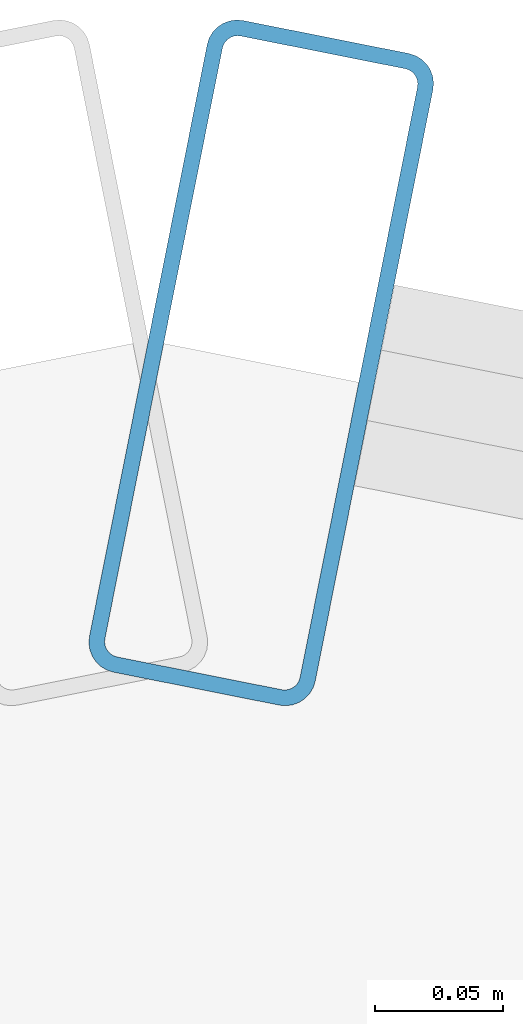
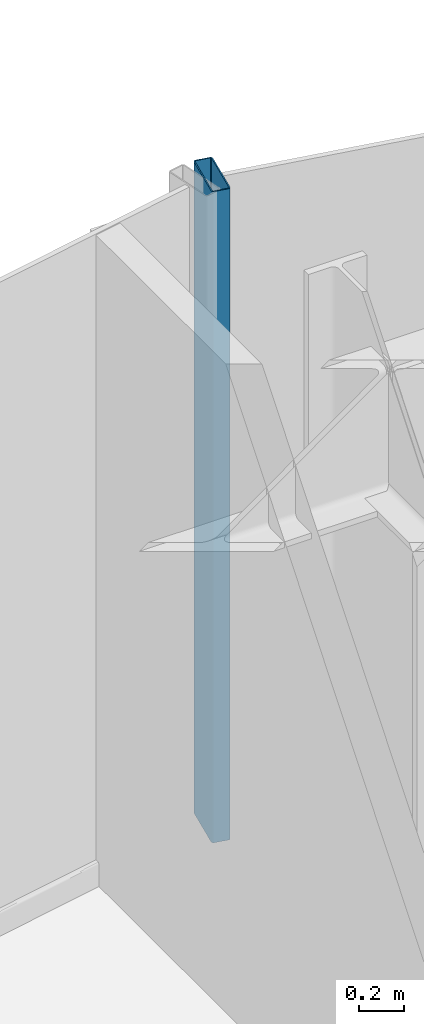
# One storey, part 15 of 26: 1 member, 1 element without a shape of its own.
"""IFC4 building model written with IfcOpenShell, lengths in metres."""

import ifcopenshell
import ifcopenshell.guid

model = None  # the IFC model being written
_history = None  # IfcOwnerHistory: only IFC2X3 demands one
_inside = {}  # id of a spatial element -> (the spatial element, [elements in it])
_under = {}  # id of a project, library or spatial element -> (it, [spatial elements below it])
_declared = {}  # id of a project -> (the project, [libraries it declares])
_typed = {}  # id of a type object -> (the type object, [elements of that type])
_made_of = {}  # id of a material, layer set ... -> (it, [elements and type objects made of it])


def new_model(schema):
    """Start an empty IFC model of exactly this schema.

    Asked for "IFC4X3", IfcOpenShell would pick the latest addendum, in which some entities
    have other attributes; the version numbers below select the first issue.
    IFC2X3 requires an IfcOwnerHistory on every rooted entity: one is made here for all.
    """
    global model, _history
    if schema == "IFC4X3":
        model = ifcopenshell.file(schema_version=(4, 3, 0, 0))
    else:
        model = ifcopenshell.file(schema=schema)
    _inside.clear()
    _under.clear()
    _declared.clear()
    _typed.clear()
    _made_of.clear()
    _history = None
    if model.schema == "IFC2X3":
        org = make("IfcOrganization", Name="unknown")
        user = make(
            "IfcPersonAndOrganization",
            ThePerson=make("IfcPerson", FamilyName="unknown"),
            TheOrganization=org,
        )
        app = make(
            "IfcApplication",
            ApplicationDeveloper=org,
            Version="unknown",
            ApplicationFullName="unknown",
            ApplicationIdentifier="unknown",
        )
        _history = make(
            "IfcOwnerHistory",
            OwningUser=user,
            OwningApplication=app,
            ChangeAction="ADDED",
            CreationDate=0,
        )
    return model


def make(cls, **values):
    """One entity of the class cls with the attributes given. An attribute that is None is left unset."""
    return model.create_entity(
        cls, **{name: value for name, value in values.items() if value is not None}
    )


def rooted(cls, **values):
    """An entity with a GlobalId (a new one), such as an element, a storey or a relation."""
    return make(cls, GlobalId=ifcopenshell.guid.new(), OwnerHistory=_history, **values)


def si_unit(unit_type, name, prefix=None):
    """IfcSIUnit, for example si_unit("LENGTHUNIT", "METRE", prefix="MILLI")."""
    return make("IfcSIUnit", UnitType=unit_type, Prefix=prefix, Name=name)


def assignment(units):
    """IfcUnitAssignment: the units of a project."""
    return None if units is None else make("IfcUnitAssignment", Units=units)


def point(xyz):
    """IfcCartesianPoint."""
    return None if xyz is None else make("IfcCartesianPoint", Coordinates=xyz)


def direction(xyz):
    """IfcDirection."""
    return None if xyz is None else make("IfcDirection", DirectionRatios=xyz)


def frame(location, z_axis=None, x_axis=None):
    """IfcAxis2Placement3D, a coordinate frame: its origin and axes. An axis left out is left unset."""
    return make(
        "IfcAxis2Placement3D",
        Location=point(location),
        Axis=direction(z_axis),
        RefDirection=direction(x_axis),
    )


def frame_2d(location, x_axis=None):
    """IfcAxis2Placement2D, a coordinate frame in the plane: its origin and x axis."""
    return make(
        "IfcAxis2Placement2D", Location=point(location), RefDirection=direction(x_axis)
    )


def origin():
    """The frame at (0, 0, 0) with its axes left unset."""
    return frame((0.0, 0.0, 0.0))


def origin_2d():
    """The frame at (0, 0) in the plane with its x axis left unset."""
    return frame_2d((0.0, 0.0))


def place(relative_to, where):
    """IfcLocalPlacement: puts the frame where relative to a parent placement (None: the world)."""
    return make(
        "IfcLocalPlacement", PlacementRelTo=relative_to, RelativePlacement=where
    )


def context(
    kind, dimensions, precision=None, world=None, true_north=None, identifier=None
):
    """IfcGeometricRepresentationContext, for example the 3D "Model" context."""
    return make(
        "IfcGeometricRepresentationContext",
        ContextIdentifier=identifier,
        ContextType=kind,
        CoordinateSpaceDimension=dimensions,
        Precision=precision,
        WorldCoordinateSystem=world,
        TrueNorth=true_north,
    )


def subcontext(parent, identifier, kind, view, scale=None):
    """IfcGeometricRepresentationSubContext, for example "Body" below "Model"."""
    return make(
        "IfcGeometricRepresentationSubContext",
        ContextIdentifier=identifier,
        ContextType=kind,
        ParentContext=parent,
        TargetScale=scale,
        TargetView=view,
    )


def project(units=None, contexts=None):
    """IfcProject with its units and contexts."""
    return rooted(
        "IfcProject",
        Name="project",
        RepresentationContexts=contexts,
        UnitsInContext=assignment(units),
    )


def spatial(cls, under=None, at=None, **own):
    """A site, building, storey or space (cls), placed at a placement, below another one or the project."""
    s = rooted(cls, ObjectPlacement=at, **own)
    if under is not None:
        _under.setdefault(under.id(), (under, []))[1].append(s)
    return s


def profile(cls, at=None, kind="AREA", **sizes):
    """A parametric profile (cls). Its sizes go by their IFC names, for example OverallWidth=200.0."""
    return make(cls, ProfileType=kind, Position=at, **sizes)


def hollow_rectangle(**sizes):
    """IfcRectangleHollowProfileDef."""
    return profile("IfcRectangleHollowProfileDef", **sizes)


def extrude(swept, where, along, depth):
    """IfcExtrudedAreaSolid: the profile swept, set in the frame where, extruded along a direction by depth."""
    return make(
        "IfcExtrudedAreaSolid",
        SweptArea=swept,
        Position=where,
        ExtrudedDirection=direction(along),
        Depth=depth,
    )


def shape(context_of_items, identifier, shape_type, items):
    """IfcShapeRepresentation: the items that make up one representation, for example the "Body"."""
    return make(
        "IfcShapeRepresentation",
        ContextOfItems=context_of_items,
        RepresentationIdentifier=identifier,
        RepresentationType=shape_type,
        Items=items,
    )


def source(mapping_origin, context_of_items, identifier, shape_type, items):
    """IfcRepresentationMap: a shape defined once, which mapped items show again and again."""
    return make(
        "IfcRepresentationMap",
        MappingOrigin=mapping_origin,
        MappedRepresentation=shape(context_of_items, identifier, shape_type, items),
    )


def transform(
    local_origin,
    x_axis=None,
    y_axis=None,
    z_axis=None,
    scale=None,
    scale2=None,
    scale3=None,
    uniform=True,
):
    """IfcCartesianTransformationOperator3D, or its non-uniform kind. x_axis, y_axis, z_axis: its Axis1, 2, 3."""
    if uniform:
        return make(
            "IfcCartesianTransformationOperator3D",
            Axis1=direction(x_axis),
            Axis2=direction(y_axis),
            LocalOrigin=point(local_origin),
            Scale=scale,
            Axis3=direction(z_axis),
        )
    return make(
        "IfcCartesianTransformationOperator3DnonUniform",
        Axis1=direction(x_axis),
        Axis2=direction(y_axis),
        LocalOrigin=point(local_origin),
        Scale=scale,
        Axis3=direction(z_axis),
        Scale2=scale2,
        Scale3=scale3,
    )


def mapped(mapping_source, mapping_target):
    """IfcMappedItem: shows the shape of a source again, moved by a transform."""
    return make(
        "IfcMappedItem", MappingSource=mapping_source, MappingTarget=mapping_target
    )


def material(Name=None, Category=None):
    """IfcMaterial."""
    return make("IfcMaterial", Name=Name, Category=Category)


def layer(
    of_material, thickness, ventilated=None, Name=None, Category=None, Priority=None
):
    """IfcMaterialLayer: one layer of a wall or slab, of a material (None: an air gap)."""
    return make(
        "IfcMaterialLayer",
        Material=of_material,
        LayerThickness=thickness,
        IsVentilated=ventilated,
        Name=Name,
        Category=Category,
        Priority=Priority,
    )


def layer_set(layers, Name=None):
    """IfcMaterialLayerSet."""
    return make("IfcMaterialLayerSet", MaterialLayers=layers, LayerSetName=Name)


def material_profile(
    of_material, cross_section, Name=None, Category=None, Priority=None
):
    """IfcMaterialProfile: a cross section and its material."""
    return make(
        "IfcMaterialProfile",
        Name=Name,
        Material=of_material,
        Profile=cross_section,
        Priority=Priority,
        Category=Category,
    )


def profile_set(profiles, Name=None, composite=None):
    """IfcMaterialProfileSet."""
    return make(
        "IfcMaterialProfileSet",
        Name=Name,
        MaterialProfiles=profiles,
        CompositeProfile=composite,
    )


def made_of(thing, what):
    """Note that an element or type object is made of a material, layer set ...; save() writes the relation."""
    if what is not None:
        _made_of.setdefault(what.id(), (what, []))[1].append(thing)
    return thing


def type_object(cls, material=None, **own):
    """A type object (cls), such as IfcWallType, which elements share."""
    return made_of(rooted(cls, **own), material)


def element(
    cls,
    number,
    at=None,
    inside=None,
    cuts=None,
    type_object=None,
    material=None,
    context=None,
    identifier="Body",
    shape_type=None,
    held_by="IfcProductDefinitionShape",
    body=None,
    shapes=None,
    **own,
):
    """One element of the class cls, such as IfcWall. Its Tag is "e" and its number.

    at: its placement. inside: the storey or other place that contains it. cuts: it is an
    opening in that element (IfcRelVoidsElement). A single representation is given by context,
    identifier, shape_type and body (its items); several are given by shapes. held_by: the class
    of the entity that holds the representations. save() writes the other relations.
    """
    e = rooted(cls, Tag="e%d" % number, ObjectPlacement=at, **own)
    if body is not None:
        shapes = [shape(context, identifier, shape_type, body)]
    if shapes is not None:
        e.Representation = make(held_by, Representations=shapes)
    if inside is not None:
        _inside.setdefault(inside.id(), (inside, []))[1].append(e)
    if cuts is not None:
        rooted(
            "IfcRelVoidsElement", RelatingBuildingElement=cuts, RelatedOpeningElement=e
        )
    if type_object is not None:
        _typed.setdefault(type_object.id(), (type_object, []))[1].append(e)
    return made_of(e, material)


def aggregate(whole, parts):
    """IfcRelAggregates: a whole, such as a stair, and the parts it consists of."""
    return rooted("IfcRelAggregates", RelatingObject=whole, RelatedObjects=parts)


def save(model, path):
    """Write the relations noted so far, then the file.

    IfcRelAggregates (storeys below a building ...), IfcRelContainedInSpatialStructure (elements
    in a storey), IfcRelDefinesByType, IfcRelAssociatesMaterial and IfcRelDeclares: one each for
    every whole, place, type object, material and project.
    """
    for whole, parts in _under.values():
        aggregate(whole, parts)
    for where, things in _inside.values():
        rooted(
            "IfcRelContainedInSpatialStructure",
            RelatedElements=things,
            RelatingStructure=where,
        )
    for kind, things in _typed.values():
        rooted("IfcRelDefinesByType", RelatedObjects=things, RelatingType=kind)
    for what, things in _made_of.values():
        rooted("IfcRelAssociatesMaterial", RelatedObjects=things, RelatingMaterial=what)
    for by, libraries in _declared.values():
        rooted("IfcRelDeclares", RelatingContext=by, RelatedDefinitions=libraries)
    model.write(path)


model = new_model("IFC4")

# Units and contexts
model_context = context("Model", 3, precision=1e-05, world=origin(), true_north=direction((0.0, 1.0)))
body_context = subcontext(model_context, "Body", "Model", "MODEL_VIEW")
ifc_project = project(units=[si_unit("LENGTHUNIT", "METRE"), si_unit("AREAUNIT", "SQUARE_METRE"), si_unit("VOLUMEUNIT", "CUBIC_METRE"), si_unit("PLANEANGLEUNIT", "RADIAN"), si_unit("MASSUNIT", "GRAM", prefix="KILO")], contexts=[model_context])

# Site, building, storey
site_placement = place(None, origin())
site = spatial("IfcSite", under=ifc_project, at=site_placement, CompositionType="ELEMENT")
building_placement = place(site_placement, origin())
building = spatial("IfcBuilding", under=site, at=building_placement, Name="Nefas-Gora Pilgrimage Tower", CompositionType="ELEMENT")
storey_placement = place(building_placement, frame((0.0, 0.0, 59.60009765625)))
storey = spatial("IfcBuildingStorey", under=building, at=storey_placement, Name="L13", CompositionType="ELEMENT", Elevation=59.60009765625)

# Curtain wall, member
ifc_material_1 = material(Name="Dark ceramic-fritted solar-control aluminium-glass curtain wall", Category="aluminium")
ifc_layer = layer(ifc_material_1, 0.219970703125)
ifc_layer_set = layer_set([ifc_layer], Name="Dark ceramic-fritted solar-control aluminium-glass curtain wall")
curtain_wall_type = type_object("IfcCurtainWallType", Name="CW-SYS-5", PredefinedType="NOTDEFINED", material=ifc_layer_set)
curtain_wall_placement = place(storey_placement, origin())
curtain_wall = element("IfcCurtainWall", 1, at=curtain_wall_placement, inside=storey, type_object=curtain_wall_type, Name="L13 Unitised Curtain Wall CW5", PredefinedType="NOTDEFINED")
ifc_material_2 = material(Name="Anodised architectural aluminium", Category="aluminium")
ifc_material_profile = material_profile(ifc_material_2, hollow_rectangle(XDim=0.090087890625, YDim=0.260009765625, WallThickness=0.006103515625, InnerFilletRadius=0.006103515625, OuterFilletRadius=0.011962890625, at=origin_2d()), Name="ALU MULLION 90x260")
ifc_profile_set = profile_set([ifc_material_profile], Name="Anodised architectural aluminium")
member_type = type_object("IfcMemberType", Name="CWM-MUL-5", PredefinedType="MULLION", material=ifc_profile_set)
shared_shape = source(origin(), body_context, "Body", "SweptSolid", [
    extrude(hollow_rectangle(XDim=0.090087890625, YDim=0.260009765625, WallThickness=0.006103515625, InnerFilletRadius=0.006103515625, OuterFilletRadius=0.011962890625, at=origin_2d()), origin(), (0.0, 0.0, 1.0), 3.5498046875),
])
member_placement = place(storey_placement, frame((-2.205810546875, 24.16357421875, 0.0), z_axis=(0.0, 0.0, 1.0), x_axis=(-0.980782896852, 0.195102304554, 0.0)))
member = element("IfcMember", 2, at=member_placement, type_object=member_type, Name="CW5 Mullion 2", PredefinedType="MULLION", context=body_context, shape_type="MappedRepresentation", body=[
    mapped(shared_shape, transform((0.0, 0.0, 0.0), x_axis=(1.0, 0.0, 0.0), y_axis=(0.0, 1.0, 0.0), z_axis=(0.0, 0.0, 1.0), scale=1.0)),
])
aggregate(curtain_wall, [member])

save(model, "model.ifc")
